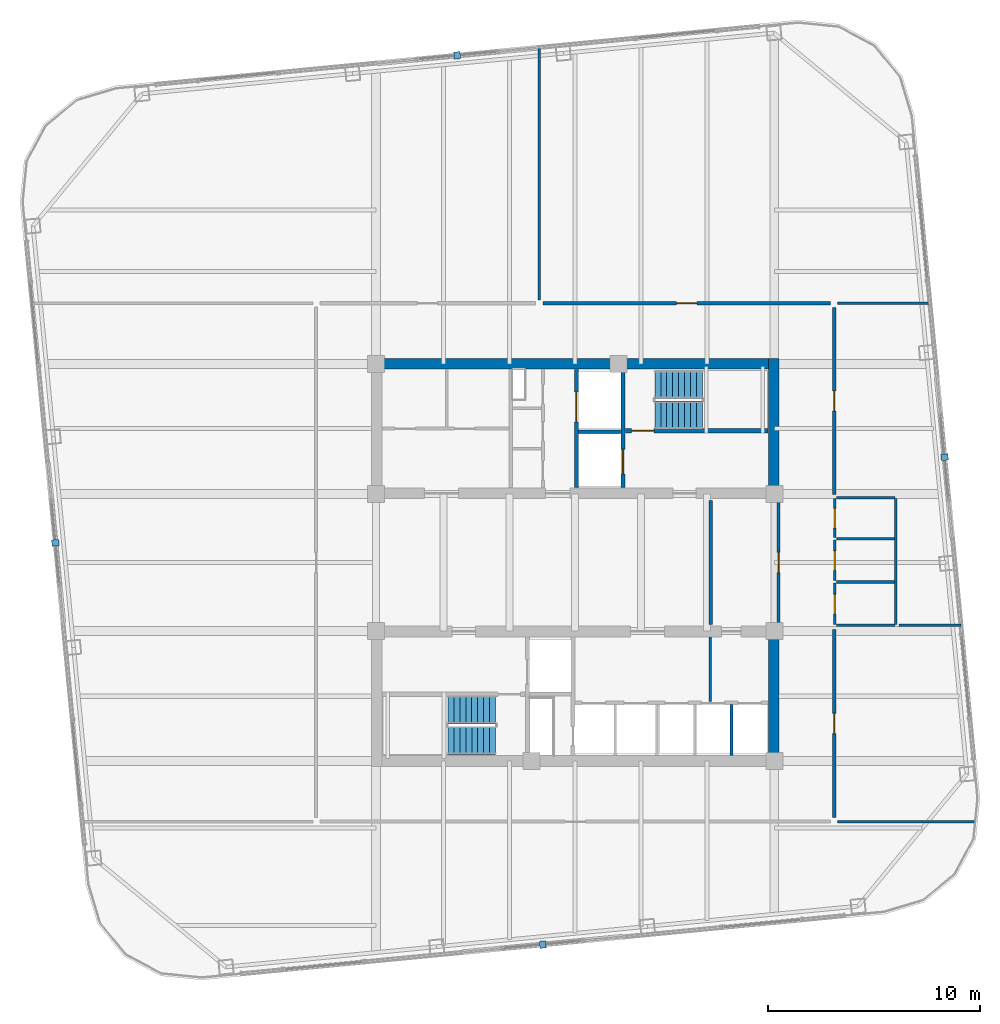
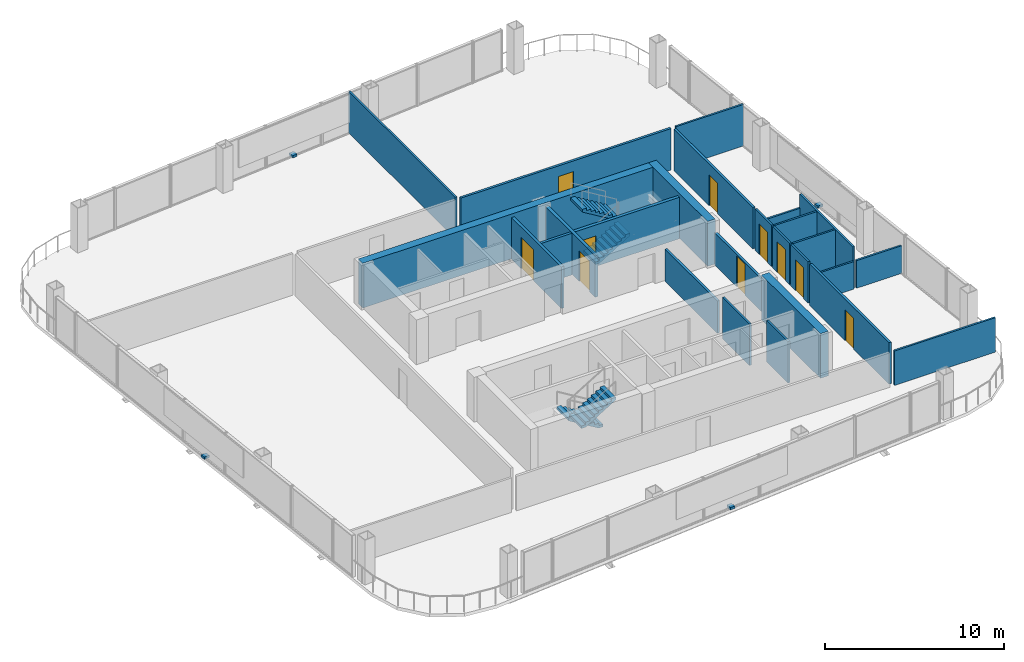
# One storey, part 18 of 21: 26 walls, 10 doors, 4 discrete accessories, 4 stair flights, 10 openings, 2 elements without a shape of their own.
"""IFC4 building model written with IfcOpenShell, lengths in metres."""

from ifc_helpers import new_model, si_unit, direction, frame, frame_2d, origin, origin_2d, place, context, subcontext, project, spatial, polyline, rectangle, outline, extrude, material, layer, layer_set, type_object, element, fill, aggregate, save


model = new_model("IFC4")

# Units and contexts
model_context = context("Model", 3, precision=1e-05, world=origin(), true_north=direction((0.0, 1.0)))
body_context = subcontext(model_context, "Body", "Model", "MODEL_VIEW")
ifc_project = project(units=[si_unit("LENGTHUNIT", "METRE"), si_unit("AREAUNIT", "SQUARE_METRE"), si_unit("VOLUMEUNIT", "CUBIC_METRE"), si_unit("PLANEANGLEUNIT", "RADIAN"), si_unit("MASSUNIT", "GRAM", prefix="KILO")], contexts=[model_context])

# Site, building, storey
site_placement = place(None, origin())
site = spatial("IfcSite", under=ifc_project, at=site_placement, CompositionType="ELEMENT")
building_placement = place(site_placement, origin())
building = spatial("IfcBuilding", under=site, at=building_placement, Name="Qhalaya Broadcast Tower", CompositionType="ELEMENT")
storey_placement = place(building_placement, frame((0.0, 0.0, 162.25)))
storey = spatial("IfcBuildingStorey", under=building, at=storey_placement, Name="L47", CompositionType="ELEMENT", Elevation=162.25)

# Wall
ifc_material_1 = material(Name="Gypsum Acoustic Partition")
ifc_layer_1 = layer(ifc_material_1, 0.14990234375, Name="Gypsum Acoustic Partition")
ifc_layer_set_1 = layer_set([ifc_layer_1], Name="Gypsum Acoustic Partition")
wall_type_1 = type_object("IfcWallType", Name="Corridor & Tenancy Acoustic Partition 150", PredefinedType="PARTITIONING", material=ifc_layer_set_1)
wall_1_placement = place(storey_placement, frame((6.3798828125, -2.320068359375, 0.0), z_axis=(0.0, 0.0, 1.0), x_axis=(0.0, 1.0, 0.0)))
element("IfcWall", 1, at=wall_1_placement, inside=storey, type_object=wall_type_1, Name="L47 Partition Wall W-ICHW", PredefinedType="PARTITIONING", context=body_context, shape_type="SweptSolid", body=[
    extrude(rectangle(XDim=5.840087890625, YDim=0.14990234375, at=frame_2d((2.919921875, 0.0))), origin(), (0.0, 0.0, 1.0), 2.197998046875),
])

# Wall, opening, door
wall_2_placement = place(storey_placement, frame((9.580078125, -2.320068359375, 0.0), z_axis=(0.0, 0.0, 1.0), x_axis=(0.0, 1.0, 0.0)))
wall_2 = element("IfcWall", 2, at=wall_2_placement, inside=storey, type_object=wall_type_1, Name="L47 Partition Wall W-ICHE", PredefinedType="PARTITIONING", context=body_context, shape_type="SweptSolid", body=[
    extrude(rectangle(XDim=5.840087890625, YDim=0.14990234375, at=frame_2d((2.919921875, 0.0))), origin(), (0.0, 0.0, 1.0), 2.197998046875),
])
opening_1_placement = place(wall_2_placement, frame((2.445068359375, 0.0, 0.0)))
opening_1 = element("IfcOpeningElement", 3, at=opening_1_placement, cuts=wall_2, Name="Opening D10", PredefinedType="OPENING", context=body_context, shape_type="SweptSolid", body=[
    extrude(rectangle(XDim=0.949951171875, YDim=2.10009765625, at=frame_2d((0.47509765625, 1.050048828125))), frame((0.0, 0.0869140625, 0.0), z_axis=(0.0, -1.0, 0.0), x_axis=(1.0, 0.0, 0.0)), (0.0, 0.0, 1.0), 0.173828125),
])
ifc_material_2 = material(Name="Timber Veneer Acoustic Door", Category="wood")
door_type_1 = type_object("IfcDoorType", Name="Cellular Office & Edit Booth Door D10", OperationType="NOTDEFINED", PredefinedType="DOOR", material=ifc_material_2)
door_1_placement = place(opening_1_placement, origin())
door_1 = element("IfcDoor", 4, at=door_1_placement, inside=storey, type_object=door_type_1, Name="L47 Door D-ICHE", OperationType="SINGLE_SWING_RIGHT", OverallHeight=2.10009765625, OverallWidth=0.949951171875, PredefinedType="DOOR", context=body_context, shape_type="SweptSolid", body=[
    extrude(rectangle(XDim=0.949951171875, YDim=2.10009765625, at=frame_2d((0.47509765625, 1.050048828125))), frame((0.0, 0.02490234375, 0.0), z_axis=(0.0, -1.0, 0.0), x_axis=(1.0, 0.0, 0.0)), (0.0, 0.0, 1.0), 0.050048828125),
])
fill(opening_1, door_1)

wall_3_placement = place(storey_placement, frame((-1.52001953125, 12.800048828125, 0.0), z_axis=(0.0, 0.0, 1.0), x_axis=(1.0, 0.0, 0.0)))
wall_3 = element("IfcWall", 5, at=wall_3_placement, inside=storey, type_object=wall_type_1, Name="L47 Partition Wall W-COR-02", PredefinedType="PARTITIONING", context=body_context, shape_type="SweptSolid", body=[
    extrude(rectangle(XDim=13.5400390625, YDim=0.14990234375, at=frame_2d((6.77001953125, 0.0))), origin(), (0.0, 0.0, 1.0), 2.830078125),
])
opening_2_placement = place(wall_3_placement, frame((6.294921875, 0.0, 0.0)))
opening_2 = element("IfcOpeningElement", 6, at=opening_2_placement, cuts=wall_3, Name="Opening D10", PredefinedType="OPENING", context=body_context, shape_type="SweptSolid", body=[
    extrude(rectangle(XDim=0.949951171875, YDim=2.10009765625, at=frame_2d((0.47509765625, 1.050048828125))), frame((0.0, 0.0869140625, 0.0), z_axis=(0.0, -1.0, 0.0), x_axis=(1.0, 0.0, 0.0)), (0.0, 0.0, 1.0), 0.173828125),
])
door_2_placement = place(opening_2_placement, origin())
door_2 = element("IfcDoor", 7, at=door_2_placement, inside=storey, type_object=door_type_1, Name="L47 Door D-RM02", OperationType="SINGLE_SWING_RIGHT", OverallHeight=2.10009765625, OverallWidth=0.949951171875, PredefinedType="DOOR", context=body_context, shape_type="SweptSolid", body=[
    extrude(rectangle(XDim=0.949951171875, YDim=2.10009765625, at=frame_2d((0.47509765625, 1.050048828125))), frame((0.0, 0.02490234375, 0.0), z_axis=(0.0, -1.0, 0.0), x_axis=(1.0, 0.0, 0.0)), (0.0, 0.0, 1.0), 0.050048828125),
])
fill(opening_2, door_2)

wall_4_placement = place(storey_placement, frame((12.199951171875, -11.39990234375, 0.0), z_axis=(0.0, 0.0, 1.0), x_axis=(0.0, 1.0, 0.0)))
wall_4 = element("IfcWall", 8, at=wall_4_placement, inside=storey, type_object=wall_type_1, Name="L47 Partition Wall W-COR-05", PredefinedType="PARTITIONING", context=body_context, shape_type="SweptSolid", body=[
    extrude(rectangle(XDim=8.83984375, YDim=0.14990234375, at=frame_2d((4.419921875, 0.0))), origin(), (0.0, 0.0, 1.0), 2.830078125),
])
opening_3_placement = place(wall_4_placement, frame((3.945068359375, 0.0, 0.0)))
opening_3 = element("IfcOpeningElement", 9, at=opening_3_placement, cuts=wall_4, Name="Opening D10", PredefinedType="OPENING", context=body_context, shape_type="SweptSolid", body=[
    extrude(rectangle(XDim=0.949951171875, YDim=2.10009765625, at=frame_2d((0.47509765625, 1.050048828125))), frame((0.0, 0.0869140625, 0.0), z_axis=(0.0, -1.0, 0.0), x_axis=(1.0, 0.0, 0.0)), (0.0, 0.0, 1.0), 0.173828125),
])
door_3_placement = place(opening_3_placement, origin())
door_3 = element("IfcDoor", 10, at=door_3_placement, inside=storey, type_object=door_type_1, Name="L47 Door D-RM05", OperationType="SINGLE_SWING_LEFT", OverallHeight=2.10009765625, OverallWidth=0.949951171875, PredefinedType="DOOR", context=body_context, shape_type="SweptSolid", body=[
    extrude(rectangle(XDim=0.949951171875, YDim=2.10009765625, at=frame_2d((0.47509765625, 1.050048828125))), frame((0.0, 0.02490234375, 0.0), z_axis=(0.0, -1.0, 0.0), x_axis=(1.0, 0.0, 0.0)), (0.0, 0.0, 1.0), 0.050048828125),
])
fill(opening_3, door_3)

wall_5_placement = place(storey_placement, frame((12.199951171875, 3.800048828125, 0.0), z_axis=(0.0, 0.0, 1.0), x_axis=(0.0, 1.0, 0.0)))
wall_5 = element("IfcWall", 11, at=wall_5_placement, inside=storey, type_object=wall_type_1, Name="L47 Partition Wall W-COR-06", PredefinedType="PARTITIONING", context=body_context, shape_type="SweptSolid", body=[
    extrude(rectangle(XDim=8.800048828125, YDim=0.14990234375, at=frame_2d((4.39990234375, 0.0))), origin(), (0.0, 0.0, 1.0), 2.830078125),
])
opening_4_placement = place(wall_5_placement, frame((3.925048828125, 0.0, 0.0)))
opening_4 = element("IfcOpeningElement", 12, at=opening_4_placement, cuts=wall_5, Name="Opening D10", PredefinedType="OPENING", context=body_context, shape_type="SweptSolid", body=[
    extrude(rectangle(XDim=0.949951171875, YDim=2.10009765625, at=frame_2d((0.47509765625, 1.050048828125))), frame((0.0, 0.0869140625, 0.0), z_axis=(0.0, -1.0, 0.0), x_axis=(1.0, 0.0, 0.0)), (0.0, 0.0, 1.0), 0.173828125),
])
door_4_placement = place(opening_4_placement, origin())
door_4 = element("IfcDoor", 13, at=door_4_placement, inside=storey, type_object=door_type_1, Name="L47 Door D-RM06", OperationType="SINGLE_SWING_RIGHT", OverallHeight=2.10009765625, OverallWidth=0.949951171875, PredefinedType="DOOR", context=body_context, shape_type="SweptSolid", body=[
    extrude(rectangle(XDim=0.949951171875, YDim=2.10009765625, at=frame_2d((0.47509765625, 1.050048828125))), frame((0.0, 0.02490234375, 0.0), z_axis=(0.0, -1.0, 0.0), x_axis=(1.0, 0.0, 0.0)), (0.0, 0.0, 1.0), 0.050048828125),
])
fill(opening_4, door_4)

ifc_material_3 = material(Name="Concrete C50/60", Category="concrete")
ifc_layer_2 = layer(ifc_material_3, 0.199951171875, Name="Concrete C50/60")
ifc_layer_set_2 = layer_set([ifc_layer_2], Name="Concrete C50/60")
wall_type_2 = type_object("IfcWallType", Name="Load-Bearing Stair Shaft Wall 200", PredefinedType="SHEAR", material=ifc_layer_set_2)
wall_6_placement = place(storey_placement, frame((2.360107421875, 6.804931640625, 0.0), z_axis=(0.0, 0.0, 1.0), x_axis=(1.0, 0.0, 0.0)))
wall_6 = element("IfcWall", 14, at=wall_6_placement, inside=storey, type_object=wall_type_2, Name="L47 Stair Core Shear Wall NCW-ST1", PredefinedType="SHEAR", context=body_context, shape_type="SweptSolid", body=[
    extrude(rectangle(XDim=6.719970703125, YDim=0.199951171875, at=frame_2d((3.35986328125, 0.0))), origin(), (0.0, 0.0, 1.0), 2.830078125),
])
opening_5_placement = place(wall_6_placement, frame((0.300048828125, 0.0, 0.0)))
opening_5 = element("IfcOpeningElement", 15, at=opening_5_placement, cuts=wall_6, Name="Opening D03", PredefinedType="OPENING", context=body_context, shape_type="SweptSolid", body=[
    extrude(rectangle(XDim=1.050048828125, YDim=2.080078125, at=frame_2d((0.52490234375, 1.0400390625))), frame((0.0, 0.112060546875, 0.0), z_axis=(0.0, -1.0, 0.0), x_axis=(1.0, 0.0, 0.0)), (0.0, 0.0, 1.0), 0.223876953125),
])
ifc_material_4 = material(Name="Fire-Rated Steel Door", Category="steel")
door_type_2 = type_object("IfcDoorType", Name="Core Stair Protected Fire Door D03", OperationType="NOTDEFINED", PredefinedType="DOOR", material=ifc_material_4)
door_5_placement = place(opening_5_placement, origin())
door_5 = element("IfcDoor", 16, at=door_5_placement, inside=storey, type_object=door_type_2, Name="L47 Door D-NST1", OperationType="SINGLE_SWING_LEFT", OverallHeight=2.080078125, OverallWidth=1.050048828125, PredefinedType="DOOR", context=body_context, shape_type="SweptSolid", body=[
    extrude(rectangle(XDim=1.050048828125, YDim=2.080078125, at=frame_2d((0.52490234375, 1.0400390625))), frame((0.0, 0.02490234375, 0.0), z_axis=(0.0, -1.0, 0.0), x_axis=(1.0, 0.0, 0.0)), (0.0, 0.0, 1.0), 0.050048828125),
])
fill(opening_5, door_5)

wall_7_placement = place(storey_placement, frame((2.25, 4.1201171875, 0.0), z_axis=(0.0, 0.0, 1.0), x_axis=(0.0, 1.0, 0.0)))
wall_7 = element("IfcWall", 17, at=wall_7_placement, inside=storey, type_object=wall_type_2, Name="L47 Stair Core Shear Wall NCW-FF", PredefinedType="SHEAR", context=body_context, shape_type="SweptSolid", body=[
    extrude(rectangle(XDim=5.559814453125, YDim=0.199951171875, at=frame_2d((2.77978515625, 0.0))), origin(), (0.0, 0.0, 1.0), 2.830078125),
])
opening_6_placement = place(wall_7_placement, frame((0.64990234375, 0.0, 0.0)))
opening_6 = element("IfcOpeningElement", 18, at=opening_6_placement, cuts=wall_7, Name="Opening LD2", PredefinedType="OPENING", context=body_context, shape_type="SweptSolid", body=[
    extrude(rectangle(XDim=1.14990234375, YDim=2.080078125, at=frame_2d((0.574951171875, 1.0400390625))), frame((0.0, 0.112060546875, 0.0), z_axis=(0.0, -1.0, 0.0), x_axis=(1.0, 0.0, 0.0)), (0.0, 0.0, 1.0), 0.223876953125),
])
ifc_material_5 = material(Name="Brushed Stainless Steel Lift Door", Category="steel")
door_type_3 = type_object("IfcDoorType", Name="Firefighting Lift Sliding Landing Door LD2", OperationType="DOUBLE_DOOR_SLIDING", PredefinedType="DOOR", material=ifc_material_5)
door_6_placement = place(opening_6_placement, origin())
door_6 = element("IfcDoor", 19, at=door_6_placement, inside=storey, type_object=door_type_3, Name="L47 Door LD-FF1", OperationType="DOUBLE_DOOR_SLIDING", OverallHeight=2.080078125, OverallWidth=1.14990234375, PredefinedType="DOOR", context=body_context, shape_type="SweptSolid", body=[
    extrude(rectangle(XDim=1.14990234375, YDim=2.080078125, at=frame_2d((0.574951171875, 1.0400390625))), frame((0.0, 0.02490234375, 0.0), z_axis=(0.0, -1.0, 0.0), x_axis=(1.0, 0.0, 0.0)), (0.0, 0.0, 1.0), 0.050048828125),
])
fill(opening_6, door_6)

# Walls
ifc_layer_3 = layer(ifc_material_3, 0.5, Name="Concrete C50/60")
ifc_layer_set_3 = layer_set([ifc_layer_3], Name="Concrete C50/60")
wall_type_3 = type_object("IfcWallType", Name="Mid Split-Core Shear Wall 500", PredefinedType="SHEAR", material=ifc_layer_set_3)
wall_8_placement = place(storey_placement, frame((-9.60009765625, 9.949951171875, 0.0), z_axis=(0.0, 0.0, 1.0), x_axis=(1.0, 0.0, 0.0)))
element("IfcWall", 20, at=wall_8_placement, inside=storey, type_object=wall_type_3, Name="L47 Split-Core Shear Wall CW-NN", PredefinedType="SHEAR", context=body_context, shape_type="SweptSolid", body=[
    extrude(rectangle(XDim=19.2001953125, YDim=0.5, at=frame_2d((9.60009765625, 0.0))), origin(), (0.0, 0.0, 1.0), 3.050048828125),
])
wall_9_placement = place(storey_placement, frame((9.35009765625, 3.60009765625, 0.0), z_axis=(0.0, 0.0, 1.0), x_axis=(0.0, 1.0, 0.0)))
element("IfcWall", 21, at=wall_9_placement, inside=storey, type_object=wall_type_3, Name="L47 Split-Core Shear Wall CW-NE", PredefinedType="SHEAR", context=body_context, shape_type="SweptSolid", body=[
    extrude(rectangle(XDim=6.599853515625, YDim=0.5, at=frame_2d((3.2998046875, 0.0))), origin(), (0.0, 0.0, 1.0), 3.050048828125),
])
wall_10_placement = place(storey_placement, frame((9.35009765625, -9.0, 0.0), z_axis=(0.0, 0.0, 1.0), x_axis=(0.0, 1.0, 0.0)))
element("IfcWall", 22, at=wall_10_placement, inside=storey, type_object=wall_type_3, Name="L47 Split-Core Shear Wall CW-SE", PredefinedType="SHEAR", context=body_context, shape_type="SweptSolid", body=[
    extrude(rectangle(XDim=6.60009765625, YDim=0.5, at=frame_2d((3.300048828125, 0.0))), origin(), (0.0, 0.0, 1.0), 3.050048828125),
])
ifc_layer_4 = layer(ifc_material_1, 0.1201171875, Name="Gypsum Acoustic Partition")
ifc_layer_set_4 = layer_set([ifc_layer_4], Name="Gypsum Acoustic Partition")
wall_type_4 = type_object("IfcWallType", Name="Office, Booth & Sanitary Partition 120", PredefinedType="PARTITIONING", material=ifc_layer_set_4)
wall_11_placement = place(storey_placement, frame((7.360107421875, -8.47998046875, 0.0), z_axis=(0.0, 0.0, 1.0), x_axis=(0.0, 1.0, 0.0)))
element("IfcWall", 23, at=wall_11_placement, inside=storey, type_object=wall_type_4, Name="L47 Partition Wall SCW-HD7", PredefinedType="PARTITIONING", context=body_context, shape_type="SweptSolid", body=[
    extrude(rectangle(XDim=2.3798828125, YDim=0.1201171875, at=frame_2d((1.18994140625, 0.0))), origin(), (0.0, 0.0, 1.0), 2.830078125),
])
wall_12_placement = place(storey_placement, frame((6.35009765625, -5.93994140625, 0.0), z_axis=(0.0, 0.0, 1.0), x_axis=(0.0, 1.0, 0.0)))
element("IfcWall", 24, at=wall_12_placement, inside=storey, type_object=wall_type_4, Name="L47 Partition Wall SCW-LKB", PredefinedType="PARTITIONING", context=body_context, shape_type="SweptSolid", body=[
    extrude(rectangle(XDim=3.02001953125, YDim=0.1201171875, at=frame_2d((1.510009765625, 0.0))), origin(), (0.0, 0.0, 1.0), 2.830078125),
])

# Wall, opening, door
wall_13_placement = place(storey_placement, frame((12.219970703125, -2.320068359375, 0.0), z_axis=(0.0, 0.0, 1.0), x_axis=(0.0, 1.0, 0.0)))
wall_13 = element("IfcWall", 25, at=wall_13_placement, inside=storey, type_object=wall_type_4, Name="L47 Partition Wall W-WCWA", PredefinedType="PARTITIONING", context=body_context, shape_type="SweptSolid", body=[
    extrude(rectangle(XDim=1.940185546875, YDim=0.1201171875, at=frame_2d((0.97021484375, 0.0))), origin(), (0.0, 0.0, 1.0), 2.830078125),
])
opening_7_placement = place(wall_13_placement, frame((0.4951171875, 0.0, 0.0)))
opening_7 = element("IfcOpeningElement", 26, at=opening_7_placement, cuts=wall_13, Name="Opening D12", PredefinedType="OPENING", context=body_context, shape_type="SweptSolid", body=[
    extrude(rectangle(XDim=0.919921875, YDim=2.10009765625, at=frame_2d((0.4599609375, 1.050048828125))), frame((0.0, 0.072021484375, 0.0), z_axis=(0.0, -1.0, 0.0), x_axis=(1.0, 0.0, 0.0)), (0.0, 0.0, 1.0), 0.14404296875),
])
door_type_4 = type_object("IfcDoorType", Name="Accessible WC & Restroom Door D12", OperationType="NOTDEFINED", PredefinedType="DOOR", material=ifc_material_2)
door_7_placement = place(opening_7_placement, origin())
door_7 = element("IfcDoor", 27, at=door_7_placement, inside=storey, type_object=door_type_4, Name="L47 Door D-WCA", OperationType="SINGLE_SWING_LEFT", OverallHeight=2.10009765625, OverallWidth=0.919921875, PredefinedType="DOOR", context=body_context, shape_type="SweptSolid", body=[
    extrude(rectangle(XDim=0.919921875, YDim=2.10009765625, at=frame_2d((0.4599609375, 1.050048828125))), frame((0.0, 0.02490234375, 0.0), z_axis=(0.0, -1.0, 0.0), x_axis=(1.0, 0.0, 0.0)), (0.0, 0.0, 1.0), 0.050048828125),
])
fill(opening_7, door_7)

wall_14_placement = place(storey_placement, frame((12.219970703125, -0.25, 0.0), z_axis=(0.0, 0.0, 1.0), x_axis=(0.0, 1.0, 0.0)))
wall_14 = element("IfcWall", 28, at=wall_14_placement, inside=storey, type_object=wall_type_4, Name="L47 Partition Wall W-WCWM", PredefinedType="PARTITIONING", context=body_context, shape_type="SweptSolid", body=[
    extrude(rectangle(XDim=1.89990234375, YDim=0.1201171875, at=frame_2d((0.949951171875, 0.0))), origin(), (0.0, 0.0, 1.0), 2.830078125),
])
opening_8_placement = place(wall_14_placement, frame((0.47509765625, 0.0, 0.0)))
opening_8 = element("IfcOpeningElement", 29, at=opening_8_placement, cuts=wall_14, Name="Opening D12", PredefinedType="OPENING", context=body_context, shape_type="SweptSolid", body=[
    extrude(rectangle(XDim=0.919921875, YDim=2.10009765625, at=frame_2d((0.4599609375, 1.050048828125))), frame((0.0, 0.072021484375, 0.0), z_axis=(0.0, -1.0, 0.0), x_axis=(1.0, 0.0, 0.0)), (0.0, 0.0, 1.0), 0.14404296875),
])
door_8_placement = place(opening_8_placement, origin())
door_8 = element("IfcDoor", 30, at=door_8_placement, inside=storey, type_object=door_type_4, Name="L47 Door D-WCM", OperationType="SINGLE_SWING_RIGHT", OverallHeight=2.10009765625, OverallWidth=0.919921875, PredefinedType="DOOR", context=body_context, shape_type="SweptSolid", body=[
    extrude(rectangle(XDim=0.919921875, YDim=2.10009765625, at=frame_2d((0.4599609375, 1.050048828125))), frame((0.0, 0.02490234375, 0.0), z_axis=(0.0, -1.0, 0.0), x_axis=(1.0, 0.0, 0.0)), (0.0, 0.0, 1.0), 0.050048828125),
])
fill(opening_8, door_8)

wall_15_placement = place(storey_placement, frame((12.219970703125, 1.780029296875, 0.0), z_axis=(0.0, 0.0, 1.0), x_axis=(0.0, 1.0, 0.0)))
wall_15 = element("IfcWall", 31, at=wall_15_placement, inside=storey, type_object=wall_type_4, Name="L47 Partition Wall W-WCWF", PredefinedType="PARTITIONING", context=body_context, shape_type="SweptSolid", body=[
    extrude(rectangle(XDim=1.830078125, YDim=0.1201171875, at=frame_2d((0.9150390625, 0.0))), origin(), (0.0, 0.0, 1.0), 2.830078125),
])
opening_9_placement = place(wall_15_placement, frame((0.43994140625, 0.0, 0.0)))
opening_9 = element("IfcOpeningElement", 32, at=opening_9_placement, cuts=wall_15, Name="Opening D12", PredefinedType="OPENING", context=body_context, shape_type="SweptSolid", body=[
    extrude(rectangle(XDim=0.919921875, YDim=2.10009765625, at=frame_2d((0.4599609375, 1.050048828125))), frame((0.0, 0.072021484375, 0.0), z_axis=(0.0, -1.0, 0.0), x_axis=(1.0, 0.0, 0.0)), (0.0, 0.0, 1.0), 0.14404296875),
])
door_9_placement = place(opening_9_placement, origin())
door_9 = element("IfcDoor", 33, at=door_9_placement, inside=storey, type_object=door_type_4, Name="L47 Door D-WCF", OperationType="SINGLE_SWING_LEFT", OverallHeight=2.10009765625, OverallWidth=0.919921875, PredefinedType="DOOR", context=body_context, shape_type="SweptSolid", body=[
    extrude(rectangle(XDim=0.919921875, YDim=2.10009765625, at=frame_2d((0.4599609375, 1.050048828125))), frame((0.0, 0.02490234375, 0.0), z_axis=(0.0, -1.0, 0.0), x_axis=(1.0, 0.0, 0.0)), (0.0, 0.0, 1.0), 0.050048828125),
])
fill(opening_9, door_9)

# Walls
wall_16_placement = place(storey_placement, frame((15.10009765625, -2.320068359375, 0.0), z_axis=(0.0, 0.0, 1.0), x_axis=(0.0, 1.0, 0.0)))
element("IfcWall", 34, at=wall_16_placement, inside=storey, type_object=wall_type_4, Name="L47 Partition Wall W-WCE", PredefinedType="PARTITIONING", context=body_context, shape_type="SweptSolid", body=[
    extrude(rectangle(XDim=5.93017578125, YDim=0.1201171875, at=frame_2d((2.965087890625, 0.0))), origin(), (0.0, 0.0, 1.0), 2.830078125),
])
for number, where, z_axis, x_axis, name in (
    (35, (12.31005859375, -2.35009765625, 0.0), (0.0, 0.0, 1.0), (1.0, 0.0, 0.0), "L47 Partition Wall W-WCS"),
    (36, (12.31005859375, 3.639892578125, 0.0), (0.0, 0.0, 1.0), (1.0, 0.0, 0.0), "L47 Partition Wall W-WCN"),
):
    element("IfcWall", number, at=place(storey_placement, frame(where, z_axis=z_axis, x_axis=x_axis)), inside=storey, type_object=wall_type_4, Name=name, PredefinedType="PARTITIONING", context=body_context, shape_type="SweptSolid", body=[
        extrude(rectangle(XDim=2.760009765625, YDim=0.1201171875, at=frame_2d((1.3798828125, 0.0))), origin(), (0.0, 0.0, 1.0), 1.883056640625),
    ])
for number, where, z_axis, x_axis, name in (
    (37, (12.31005859375, -0.320068359375, 0.0), (0.0, 0.0, 1.0), (1.0, 0.0, 0.0), "L47 Partition Wall W-WCD1"),
    (38, (12.31005859375, 1.719970703125, 0.0), (0.0, 0.0, 1.0), (1.0, 0.0, 0.0), "L47 Partition Wall W-WCD2"),
):
    element("IfcWall", number, at=place(storey_placement, frame(where, z_axis=z_axis, x_axis=x_axis)), inside=storey, type_object=wall_type_4, Name=name, PredefinedType="PARTITIONING", context=body_context, shape_type="SweptSolid", body=[
        extrude(rectangle(XDim=2.719970703125, YDim=0.1201171875, at=frame_2d((1.35986328125, 0.0))), origin(), (0.0, 0.0, 1.0), 2.830078125),
    ])
wall_17_placement = place(storey_placement, frame((12.340087890625, 12.800048828125, 0.0), z_axis=(0.0, 0.0, 1.0), x_axis=(1.0, 0.0, 0.0)))
element("IfcWall", 39, at=wall_17_placement, inside=storey, type_object=wall_type_4, Name="L47 Partition Wall W-BNDE1", PredefinedType="PARTITIONING", context=body_context, shape_type="SweptSolid", body=[
    extrude(rectangle(XDim=4.35546875, YDim=0.1201171875, at=frame_2d((2.177734375, 0.0))), origin(), (0.0, 0.0, 1.0), 2.830078125),
])
wall_18_placement = place(storey_placement, frame((12.340087890625, -11.60009765625, 0.0), z_axis=(0.0, 0.0, 1.0), x_axis=(1.0, 0.0, 0.0)))
element("IfcWall", 40, at=wall_18_placement, inside=storey, type_object=wall_type_4, Name="L47 Partition Wall W-BNDE2", PredefinedType="PARTITIONING", context=body_context, shape_type="SweptSolid", body=[
    extrude(rectangle(XDim=6.489990234375, YDim=0.1201171875, at=frame_2d((3.2451171875, 0.0))), origin(), (0.0, 0.0, 1.0), 2.346923828125),
])
wall_19_placement = place(storey_placement, frame((-1.699951171875, 12.9599609375, 0.0), z_axis=(0.0, 0.0, 1.0), x_axis=(0.0, 1.0, 0.0)))
element("IfcWall", 41, at=wall_19_placement, inside=storey, type_object=wall_type_4, Name="L47 Partition Wall W-DIVN1", PredefinedType="PARTITIONING", context=body_context, shape_type="SweptSolid", body=[
    extrude(rectangle(XDim=11.884521484375, YDim=0.1201171875, at=frame_2d((5.9423828125, 0.0))), origin(), (0.0, 0.0, 1.0), 2.830078125),
])
wall_20_placement = place(storey_placement, frame((15.239990234375, -2.35009765625, 0.0), z_axis=(0.0, 0.0, 1.0), x_axis=(1.0, 0.0, 0.0)))
element("IfcWall", 42, at=wall_20_placement, inside=storey, type_object=wall_type_4, Name="L47 Partition Wall W-DIVE-WC", PredefinedType="PARTITIONING", context=body_context, shape_type="SweptSolid", body=[
    extrude(rectangle(XDim=2.914306640625, YDim=0.1201171875, at=frame_2d((1.45703125, 0.0))), origin(), (0.0, 0.0, 1.0), 1.883056640625),
])

# Wall, opening, door
ifc_layer_5 = layer(ifc_material_1, 0.175048828125, Name="Gypsum Acoustic Partition")
ifc_layer_set_5 = layer_set([ifc_layer_5], Name="Gypsum Acoustic Partition")
wall_type_5 = type_object("IfcWallType", Name="Shaft & Riser Fire Partition 175", PredefinedType="PARTITIONING", material=ifc_layer_set_5)
wall_21_placement = place(storey_placement, frame((0.06005859375, 4.1201171875, 0.0), z_axis=(0.0, 0.0, 1.0), x_axis=(0.0, 1.0, 0.0)))
wall_21 = element("IfcWall", 43, at=wall_21_placement, inside=storey, type_object=wall_type_5, Name="L47 Partition Wall NCW-SVW", PredefinedType="PARTITIONING", context=body_context, shape_type="SweptSolid", body=[
    extrude(rectangle(XDim=5.559814453125, YDim=0.175048828125, at=frame_2d((2.77978515625, 0.0))), origin(), (0.0, 0.0, 1.0), 2.830078125),
])
opening_10_placement = place(wall_21_placement, frame((3.10009765625, 0.0, 0.0)))
opening_10 = element("IfcOpeningElement", 44, at=opening_10_placement, cuts=wall_21, Name="Opening LD3", PredefinedType="OPENING", context=body_context, shape_type="SweptSolid", body=[
    extrude(rectangle(XDim=1.39990234375, YDim=2.1201171875, at=frame_2d((0.699951171875, 1.06005859375))), frame((0.0, 0.099609375, 0.0), z_axis=(0.0, -1.0, 0.0), x_axis=(1.0, 0.0, 0.0)), (0.0, 0.0, 1.0), 0.198974609375),
])
door_type_5 = type_object("IfcDoorType", Name="Service Lift Wide Sliding Landing Door LD3", OperationType="DOUBLE_DOOR_SLIDING", PredefinedType="DOOR", material=ifc_material_5)
door_10_placement = place(opening_10_placement, origin())
door_10 = element("IfcDoor", 45, at=door_10_placement, inside=storey, type_object=door_type_5, Name="L47 Door LD-SV1", OperationType="DOUBLE_DOOR_SLIDING", OverallHeight=2.1201171875, OverallWidth=1.39990234375, PredefinedType="DOOR", context=body_context, shape_type="SweptSolid", body=[
    extrude(rectangle(XDim=1.39990234375, YDim=2.1201171875, at=frame_2d((0.699951171875, 1.06005859375))), frame((0.0, 0.02490234375, 0.0), z_axis=(0.0, -1.0, 0.0), x_axis=(1.0, 0.0, 0.0)), (0.0, 0.0, 1.0), 0.050048828125),
])
fill(opening_10, door_10)

# Wall
wall_22_placement = place(storey_placement, frame((0.159912109375, 6.75, 0.0), z_axis=(0.0, 0.0, 1.0), x_axis=(1.0, 0.0, 0.0)))
element("IfcWall", 46, at=wall_22_placement, inside=storey, type_object=wall_type_5, Name="L47 Partition Wall NCW-SVM", PredefinedType="PARTITIONING", context=body_context, shape_type="SweptSolid", body=[
    extrude(rectangle(XDim=1.97998046875, YDim=0.175048828125, at=frame_2d((0.989990234375, 0.0))), origin(), (0.0, 0.0, 1.0), 2.830078125),
])

# Stair, stair flights
ifc_material_6 = material(Name="Concrete C40/50", Category="concrete")
stair_type = type_object("IfcStairType", Name="Protected Dogleg Core Stair 3150", PredefinedType="TWO_STRAIGHT_RUN_STAIR", material=ifc_material_6)
stair_1_placement = place(storey_placement, origin())
stair_1 = element("IfcStair", 47, at=stair_1_placement, inside=storey, type_object=stair_type, Name="L47 North Core Exit Stair ST-1", PredefinedType="TWO_STRAIGHT_RUN_STAIR")
ifc_material_7 = material(Name="Precast Concrete C40/50", Category="concrete")
stair_flight_type = type_object("IfcStairFlightType", Name="Precast Concrete Stair Flight 3150", PredefinedType="STRAIGHT", material=ifc_material_7)
stair_flight_1_placement = place(storey_placement, frame((3.75, 7.5400390625, 0.0), z_axis=(0.0, 0.0, 1.0), x_axis=(1.0, 0.0, 0.0)))
stair_flight_1 = element("IfcStairFlight", 48, at=stair_flight_1_placement, type_object=stair_flight_type, Name="ST-1 flight 1", NumberOfRisers=9, NumberOfTreads=8, PredefinedType="STRAIGHT", RiserHeight=0.169444444, TreadLength=0.28, context=body_context, shape_type="SweptSolid", body=[
    extrude(outline(polyline([(0.0, 0.0), (0.0, 0.16943359375), (0.280029296875, 0.16943359375), (0.280029296875, 0.3388671875), (0.56005859375, 0.3388671875), (0.56005859375, 0.50830078125), (0.840087890625, 0.50830078125), (0.840087890625, 0.677734375), (1.1201171875, 0.677734375), (1.1201171875, 0.84716796875), (1.39990234375, 0.84716796875), (1.39990234375, 1.0166015625), (1.679931640625, 1.0166015625), (1.679931640625, 1.18603515625), (1.9599609375, 1.18603515625), (1.9599609375, 1.35546875), (2.239990234375, 1.35546875), (2.239990234375, 1.52490234375), (2.239990234375, 1.180419921875), (0.28955078125, 0.0), (0.0, 0.0)])), frame((0.0, 0.66015625, 0.0), z_axis=(0.0, -1.0, 0.0), x_axis=(1.0, 0.0, 0.0)), (0.0, 0.0, 1.0), 1.320068359375),
])
stair_flight_2_placement = place(storey_placement, frame((5.989990234375, 8.97998046875, 1.52490234375), z_axis=(0.0, 0.0, 1.0), x_axis=(-1.0, 0.0, 0.0)))
stair_flight_2 = element("IfcStairFlight", 49, at=stair_flight_2_placement, type_object=stair_flight_type, Name="ST-1 flight 2", NumberOfRisers=9, NumberOfTreads=8, PredefinedType="STRAIGHT", RiserHeight=0.169444444, TreadLength=0.28, context=body_context, shape_type="SweptSolid", body=[
    extrude(outline(polyline([(0.0, 0.0), (0.0, 0.16943359375), (0.280029296875, 0.16943359375), (0.280029296875, 0.3388671875), (0.56005859375, 0.3388671875), (0.56005859375, 0.50830078125), (0.840087890625, 0.50830078125), (0.840087890625, 0.677734375), (1.1201171875, 0.677734375), (1.1201171875, 0.84716796875), (1.39990234375, 0.84716796875), (1.39990234375, 1.0166015625), (1.679931640625, 1.0166015625), (1.679931640625, 1.18603515625), (1.9599609375, 1.18603515625), (1.9599609375, 1.35546875), (2.239990234375, 1.35546875), (2.239990234375, 1.52490234375), (2.239990234375, 1.180419921875), (0.28955078125, 0.0), (0.0, 0.0)])), frame((0.0, 0.66015625, 0.0), z_axis=(0.0, -1.0, 0.0), x_axis=(1.0, 0.0, 0.0)), (0.0, 0.0, 1.0), 1.320068359375),
])
aggregate(stair_1, [stair_flight_1, stair_flight_2])

stair_2_placement = place(storey_placement, origin())
stair_2 = element("IfcStair", 50, at=stair_2_placement, inside=storey, type_object=stair_type, Name="L47 South Core Exit Stair ST-2", PredefinedType="TWO_STRAIGHT_RUN_STAIR")
stair_flight_3_placement = place(storey_placement, frame((-3.75, -6.340087890625, 0.0), z_axis=(0.0, 0.0, 1.0), x_axis=(-1.0, 0.0, 0.0)))
stair_flight_3 = element("IfcStairFlight", 51, at=stair_flight_3_placement, type_object=stair_flight_type, Name="ST-2 flight 1", NumberOfRisers=9, NumberOfTreads=8, PredefinedType="STRAIGHT", RiserHeight=0.169444444, TreadLength=0.28, context=body_context, shape_type="SweptSolid", body=[
    extrude(outline(polyline([(0.0, 0.0), (0.0, 0.16943359375), (0.280029296875, 0.16943359375), (0.280029296875, 0.3388671875), (0.56005859375, 0.3388671875), (0.56005859375, 0.50830078125), (0.840087890625, 0.50830078125), (0.840087890625, 0.677734375), (1.1201171875, 0.677734375), (1.1201171875, 0.84716796875), (1.39990234375, 0.84716796875), (1.39990234375, 1.0166015625), (1.679931640625, 1.0166015625), (1.679931640625, 1.18603515625), (1.9599609375, 1.18603515625), (1.9599609375, 1.35546875), (2.239990234375, 1.35546875), (2.239990234375, 1.52490234375), (2.239990234375, 1.180419921875), (0.28955078125, 0.0), (0.0, 0.0)])), frame((0.0, 0.66015625, 0.0), z_axis=(0.0, -1.0, 0.0), x_axis=(1.0, 0.0, 0.0)), (0.0, 0.0, 1.0), 1.320068359375),
])
stair_flight_4_placement = place(storey_placement, frame((-5.989990234375, -7.780029296875, 1.52490234375), z_axis=(0.0, 0.0, 1.0), x_axis=(1.0, 0.0, 0.0)))
stair_flight_4 = element("IfcStairFlight", 52, at=stair_flight_4_placement, type_object=stair_flight_type, Name="ST-2 flight 2", NumberOfRisers=9, NumberOfTreads=8, PredefinedType="STRAIGHT", RiserHeight=0.169444444, TreadLength=0.28, context=body_context, shape_type="SweptSolid", body=[
    extrude(outline(polyline([(0.0, 0.0), (0.0, 0.16943359375), (0.280029296875, 0.16943359375), (0.280029296875, 0.3388671875), (0.56005859375, 0.3388671875), (0.56005859375, 0.50830078125), (0.840087890625, 0.50830078125), (0.840087890625, 0.677734375), (1.1201171875, 0.677734375), (1.1201171875, 0.84716796875), (1.39990234375, 0.84716796875), (1.39990234375, 1.0166015625), (1.679931640625, 1.0166015625), (1.679931640625, 1.18603515625), (1.9599609375, 1.18603515625), (1.9599609375, 1.35546875), (2.239990234375, 1.35546875), (2.239990234375, 1.52490234375), (2.239990234375, 1.180419921875), (0.28955078125, 0.0), (0.0, 0.0)])), frame((0.0, 0.66015625, 0.0), z_axis=(0.0, -1.0, 0.0), x_axis=(1.0, 0.0, 0.0)), (0.0, 0.0, 1.0), 1.320068359375),
])
aggregate(stair_2, [stair_flight_3, stair_flight_4])

# Discrete accessories
ifc_material_8 = material(Name="Structural Steel ASTM A572 Grade 50", Category="steel")
discrete_accessory_type = type_object("IfcDiscreteAccessoryType", Name="Facade Baguette Support Bracket BRK-01", PredefinedType="BRACKET", material=ifc_material_8)
for number, where, z_axis, x_axis, name in (
    (53, (-1.5244140625, -17.393310546875, 0.0), (0.0, 0.0, 1.0), (0.995396198367, 0.09584575252, 0.0), "L47 Baguette Support Bracket S"),
    (54, (17.393310546875, 5.5556640625, 0.0), (0.0, 0.0, 1.0), (-0.09584575252, 0.995396198367, 0.0), "L47 Baguette Support Bracket E"),
    (55, (-5.5556640625, 24.47314453125, 0.0), (0.0, 0.0, 1.0), (-0.995396198367, -0.09584575252, 0.0), "L47 Baguette Support Bracket N"),
    (56, (-24.47314453125, 1.5244140625, 0.0), (0.0, 0.0, 1.0), (0.09584575252, -0.995396198367, 0.0), "L47 Baguette Support Bracket W"),
):
    element("IfcDiscreteAccessory", number, at=place(storey_placement, frame(where, z_axis=z_axis, x_axis=x_axis)), inside=storey, type_object=discrete_accessory_type, Name=name, PredefinedType="BRACKET", context=body_context, shape_type="SweptSolid", body=[
        extrude(rectangle(XDim=0.300048828125, YDim=0.340087890625, at=origin_2d()), origin(), (0.0, 0.0, 1.0), 0.159912109375),
    ])

save(model, "model.ifc")
